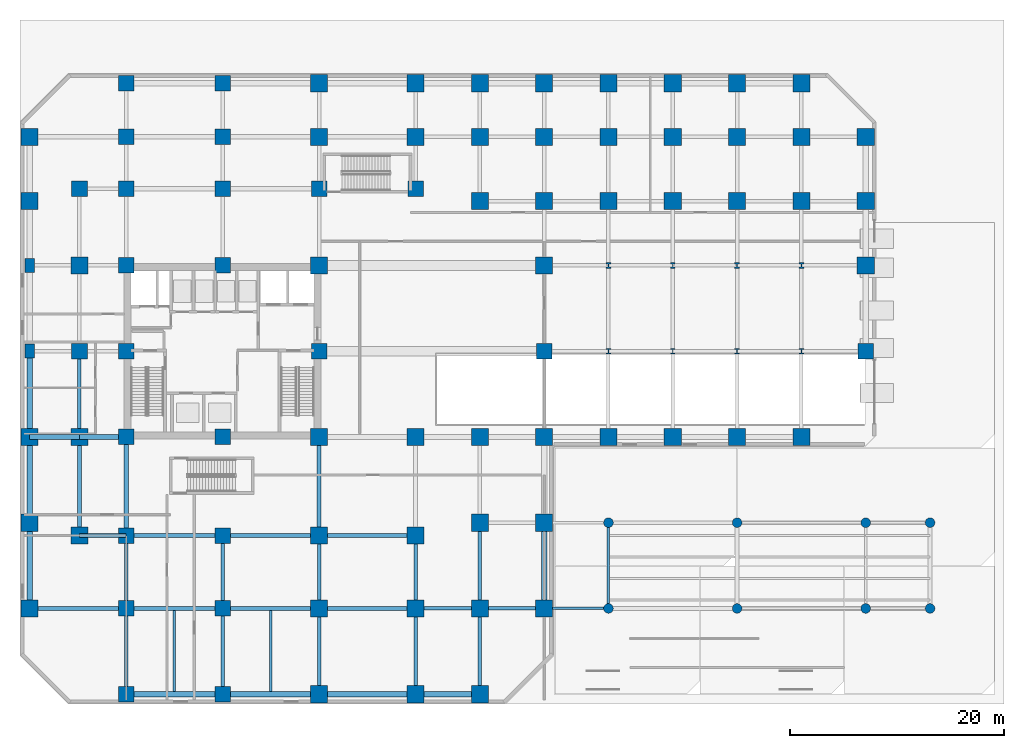
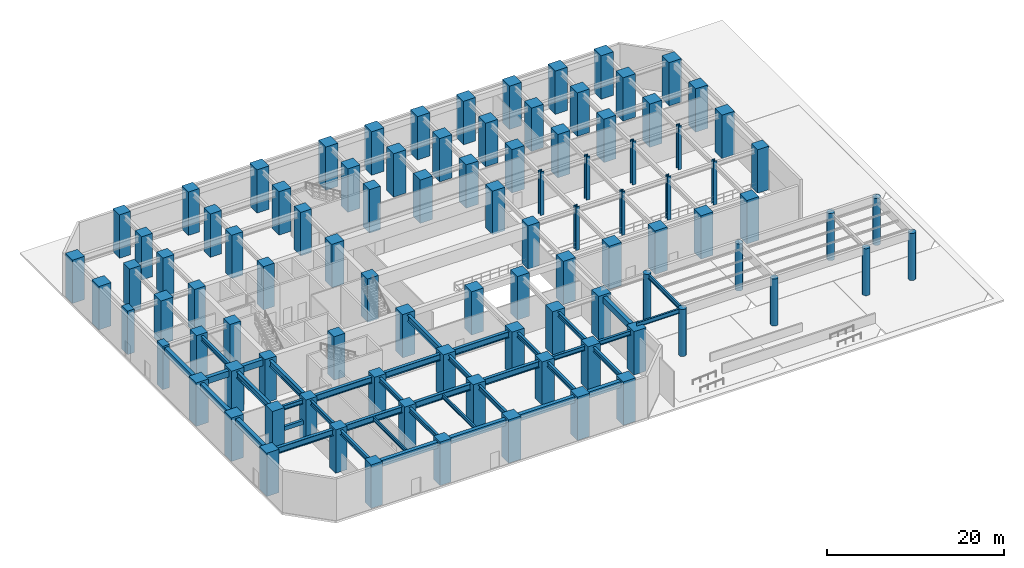
# One storey, part 1 of 13: 96 columns, 39 beams.
"""IFC4 building model written with IfcOpenShell, lengths in metres."""

from ifc_helpers import new_model, si_unit, direction, frame, origin, origin_2d, place, context, subcontext, project, spatial, rectangle, circle, i_section, extrude, source, transform, mapped, material, material_profile, profile_set, type_object, element, save


model = new_model("IFC4")

# Units and contexts
model_context = context("Model", 3, precision=1e-05, world=origin(), true_north=direction((0.0, 1.0)))
body_context = subcontext(model_context, "Body", "Model", "MODEL_VIEW")
ifc_project = project(units=[si_unit("LENGTHUNIT", "METRE"), si_unit("AREAUNIT", "SQUARE_METRE"), si_unit("VOLUMEUNIT", "CUBIC_METRE"), si_unit("PLANEANGLEUNIT", "RADIAN"), si_unit("MASSUNIT", "GRAM", prefix="KILO")], contexts=[model_context])

# Site, building, storey
site_placement = place(None, origin())
site = spatial("IfcSite", under=ifc_project, at=site_placement, CompositionType="ELEMENT")
building_placement = place(site_placement, origin())
building = spatial("IfcBuilding", under=site, at=building_placement, Name="Torre Montelarca", CompositionType="ELEMENT")
storey_placement = place(building_placement, origin())
storey = spatial("IfcBuildingStorey", under=building, at=storey_placement, Name="L01", CompositionType="ELEMENT", Elevation=0.0)

# Columns
ifc_material_1 = material(Name="Concrete C70/85", Category="concrete")
ifc_material_profile_1 = material_profile(ifc_material_1, rectangle(XDim=1.60009765625, YDim=1.60009765625, at=origin_2d()), Name="RC1600X1600", Category="concrete")
ifc_profile_set_1 = profile_set([ifc_material_profile_1], Name="Concrete C70/85")
column_type_1 = type_object("IfcColumnType", Name="COL-RC1600-EXT", PredefinedType="COLUMN", material=ifc_profile_set_1)
shared_shape_1 = source(origin(), body_context, "Body", "SweptSolid", [
    extrude(rectangle(XDim=1.60009765625, YDim=1.60009765625, at=origin_2d()), origin(), (0.0, 0.0, 1.0), 5.99853515625),
])
for number, where, z_axis, x_axis, name in (
    (1, (0.0, 8.0, 0.000732421875), (0.0, 0.0, 1.0), (1.0, 0.0, 0.0), "L01 Perimeter Mega Column 1/B"),
    (2, (0.0, 16.0, 0.000732421875), (0.0, 0.0, 1.0), (1.0, 0.0, 0.0), "L01 Perimeter Mega Column 1/C"),
    (3, (0.0, 24.0, 0.000732421875), (0.0, 0.0, 1.0), (1.0, 0.0, 0.0), "L01 Perimeter Mega Column 1/D"),
    (4, (0.0, 46.0, 0.000732421875), (0.0, 0.0, 1.0), (1.0, 0.0, 0.0), "L01 Perimeter Mega Column 1/G"),
    (5, (0.0, 52.0, 0.000732421875), (0.0, 0.0, 1.0), (1.0, 0.0, 0.0), "L01 Perimeter Mega Column 1/H"),
    (6, (27.0, 0.0, 0.000732421875), (0.0, 0.0, 1.0), (1.0, 0.0, 0.0), "L01 Perimeter Mega Column 4/A"),
    (7, (27.0, 24.0, 0.000732421875), (0.0, 0.0, 1.0), (1.0, 0.0, 0.0), "L01 Perimeter Mega Column 4/D"),
    (8, (27.0, 57.0, 0.000732421875), (0.0, 0.0, 1.0), (1.0, 0.0, 0.0), "L01 Perimeter Mega Column 4/J"),
    (9, (36.0, 0.0, 0.000732421875), (0.0, 0.0, 1.0), (1.0, 0.0, 0.0), "L01 Perimeter Mega Column 5/A"),
    (10, (36.0, 24.0, 0.000732421875), (0.0, 0.0, 1.0), (1.0, 0.0, 0.0), "L01 Perimeter Mega Column 5/D"),
    (11, (36.0, 57.0, 0.000732421875), (0.0, 0.0, 1.0), (1.0, 0.0, 0.0), "L01 Perimeter Mega Column 5/J"),
    (12, (42.0, 0.0, 0.000732421875), (0.0, 0.0, 1.0), (1.0, 0.0, 0.0), "L01 Perimeter Mega Column 6/A"),
    (13, (42.0, 24.0, 0.000732421875), (0.0, 0.0, 1.0), (1.0, 0.0, 0.0), "L01 Perimeter Mega Column 6/D"),
    (14, (42.0, 57.0, 0.000732421875), (0.0, 0.0, 1.0), (1.0, 0.0, 0.0), "L01 Perimeter Mega Column 6/J"),
    (15, (48.0, 8.0, 0.000732421875), (0.0, 0.0, 1.0), (1.0, 0.0, 0.0), "L01 Perimeter Mega Column 7/B"),
    (16, (48.0, 16.0, 0.000732421875), (0.0, 0.0, 1.0), (1.0, 0.0, 0.0), "L01 Perimeter Mega Column 7/C"),
    (17, (48.0, 24.0, 0.000732421875), (0.0, 0.0, 1.0), (1.0, 0.0, 0.0), "L01 Perimeter Mega Column 7/D"),
    (18, (48.0, 57.0, 0.000732421875), (0.0, 0.0, 1.0), (1.0, 0.0, 0.0), "L01 Perimeter Mega Column 7/J"),
    (19, (54.0, 24.0, 0.000732421875), (0.0, 0.0, 1.0), (1.0, 0.0, 0.0), "L01 Perimeter Mega Column 8/D"),
    (20, (54.0, 57.0, 0.000732421875), (0.0, 0.0, 1.0), (1.0, 0.0, 0.0), "L01 Perimeter Mega Column 8/J"),
    (21, (60.0, 24.0, 0.000732421875), (0.0, 0.0, 1.0), (1.0, 0.0, 0.0), "L01 Perimeter Mega Column 9/D"),
    (22, (60.0, 57.0, 0.000732421875), (0.0, 0.0, 1.0), (1.0, 0.0, 0.0), "L01 Perimeter Mega Column 9/J"),
    (23, (66.0, 24.0, 0.000732421875), (0.0, 0.0, 1.0), (1.0, 0.0, 0.0), "L01 Perimeter Mega Column 10/D"),
    (24, (66.0, 57.0, 0.000732421875), (0.0, 0.0, 1.0), (1.0, 0.0, 0.0), "L01 Perimeter Mega Column 10/J"),
    (25, (72.0, 24.0, 0.000732421875), (0.0, 0.0, 1.0), (1.0, 0.0, 0.0), "L01 Perimeter Mega Column 11/D"),
    (26, (72.0, 57.0, 0.000732421875), (0.0, 0.0, 1.0), (1.0, 0.0, 0.0), "L01 Perimeter Mega Column 11/J"),
    (27, (78.0, 40.0, 0.000732421875), (0.0, 0.0, 1.0), (1.0, 0.0, 0.0), "L01 Perimeter Mega Column 12/F"),
    (28, (78.0, 46.0, 0.000732421875), (0.0, 0.0, 1.0), (1.0, 0.0, 0.0), "L01 Perimeter Mega Column 12/G"),
    (29, (78.0, 52.0, 0.000732421875), (0.0, 0.0, 1.0), (1.0, 0.0, 0.0), "L01 Perimeter Mega Column 12/H"),
    (30, (4.64990234375, 24.0, 0.000732421875), (0.0, 0.0, 1.0), (1.0, 0.0, 0.0), "L01 Perimeter Mega Column 1W/D"),
):
    element("IfcColumn", number, at=place(storey_placement, frame(where, z_axis=z_axis, x_axis=x_axis)), inside=storey, type_object=column_type_1, Name=name, PredefinedType="COLUMN", context=body_context, shape_type="MappedRepresentation", body=[
        mapped(shared_shape_1, transform((0.0, 0.0, 0.0), scale=1.0)),
    ])
ifc_material_2 = material(Name="Concrete C55/67", Category="concrete")
ifc_material_profile_2 = material_profile(ifc_material_2, rectangle(XDim=0.89990234375, YDim=1.300048828125, at=origin_2d()), Name="RC1300X900", Category="concrete")
ifc_profile_set_2 = profile_set([ifc_material_profile_2], Name="Concrete C55/67")
column_type_2 = type_object("IfcColumnType", Name="COL-PIL1300-EXT", PredefinedType="PILASTER", material=ifc_profile_set_2)
shared_shape_2 = source(origin(), body_context, "Body", "SweptSolid", [
    extrude(rectangle(XDim=0.89990234375, YDim=1.300048828125, at=origin_2d()), origin(), (0.0, 0.0, 1.0), 5.99853515625),
])
for number, where, z_axis, x_axis, name in (
    (31, (0.0, 32.0, 0.000732421875), (0.0, 0.0, 1.0), (1.0, 0.0, 0.0), "L01 Column 1/E"),
    (32, (0.0, 40.0, 0.000732421875), (0.0, 0.0, 1.0), (1.0, 0.0, 0.0), "L01 Column 1/F"),
):
    element("IfcColumn", number, at=place(storey_placement, frame(where, z_axis=z_axis, x_axis=x_axis)), inside=storey, type_object=column_type_2, Name=name, PredefinedType="PILASTER", context=body_context, shape_type="MappedRepresentation", body=[
        mapped(shared_shape_2, transform((0.0, 0.0, 0.0), scale=1.0)),
    ])
ifc_material_profile_3 = material_profile(ifc_material_1, rectangle(XDim=1.449951171875, YDim=1.449951171875, at=origin_2d()), Name="RC1450X1450", Category="concrete")
ifc_profile_set_3 = profile_set([ifc_material_profile_3], Name="Concrete C70/85")
column_type_3 = type_object("IfcColumnType", Name="COL-RC1450-EXT", PredefinedType="COLUMN", material=ifc_profile_set_3)
shared_shape_3 = source(origin(), body_context, "Body", "SweptSolid", [
    extrude(rectangle(XDim=1.449951171875, YDim=1.449951171875, at=origin_2d()), origin(), (0.0, 0.0, 1.0), 5.99853515625),
])
for number, where, z_axis, x_axis, name in (
    (33, (9.0, 0.0, 0.000732421875), (0.0, 0.0, 1.0), (1.0, 0.0, 0.0), "L01 Perimeter Mega Column 2/A"),
    (34, (9.0, 24.0, 0.000732421875), (0.0, 0.0, 1.0), (1.0, 0.0, 0.0), "L01 Perimeter Mega Column 2/D"),
    (35, (9.0, 57.0, 0.000732421875), (0.0, 0.0, 1.0), (1.0, 0.0, 0.0), "L01 Perimeter Mega Column 2/J"),
    (36, (18.0, 0.0, 0.000732421875), (0.0, 0.0, 1.0), (1.0, 0.0, 0.0), "L01 Perimeter Mega Column 3/A"),
    (37, (18.0, 24.0, 0.000732421875), (0.0, 0.0, 1.0), (1.0, 0.0, 0.0), "L01 Perimeter Mega Column 3/D"),
    (38, (18.0, 57.0, 0.000732421875), (0.0, 0.0, 1.0), (1.0, 0.0, 0.0), "L01 Perimeter Mega Column 3/J"),
    (39, (78.0, 32.0, 0.000732421875), (0.0, 0.0, 1.0), (1.0, 0.0, 0.0), "L01 Perimeter Mega Column 12/E"),
):
    element("IfcColumn", number, at=place(storey_placement, frame(where, z_axis=z_axis, x_axis=x_axis)), inside=storey, type_object=column_type_3, Name=name, PredefinedType="COLUMN", context=body_context, shape_type="MappedRepresentation", body=[
        mapped(shared_shape_3, transform((0.0, 0.0, 0.0), scale=1.0)),
    ])
ifc_material_profile_4 = material_profile(ifc_material_1, rectangle(XDim=1.449951171875, YDim=1.449951171875, at=origin_2d()), Name="RC1450X1450", Category="concrete")
ifc_profile_set_4 = profile_set([ifc_material_profile_4], Name="Concrete C70/85")
column_type_4 = type_object("IfcColumnType", Name="COL-RC1450", PredefinedType="COLUMN", material=ifc_profile_set_4)
shared_shape_4 = source(origin(), body_context, "Body", "SweptSolid", [
    extrude(rectangle(XDim=1.449951171875, YDim=1.449951171875, at=origin_2d()), origin(), (0.0, 0.0, 1.0), 5.99853515625),
])
for number, where, z_axis, x_axis, name in (
    (40, (9.0, 8.0, 0.000732421875), (0.0, 0.0, 1.0), (1.0, 0.0, 0.0), "L01 Column 2/B"),
    (41, (9.0, 32.0, 0.000732421875), (0.0, 0.0, 1.0), (1.0, 0.0, 0.0), "L01 Column 2/E"),
    (42, (9.0, 40.0, 0.000732421875), (0.0, 0.0, 1.0), (1.0, 0.0, 0.0), "L01 Column 2/F"),
    (43, (9.0, 52.0, 0.000732421875), (0.0, 0.0, 1.0), (1.0, 0.0, 0.0), "L01 Column 2/H"),
    (44, (9.0, 14.800048828125, 0.000732421875), (0.0, 0.0, 1.0), (1.0, 0.0, 0.0), "L01 Column 2/CS"),
    (45, (9.0, 47.14990234375, 0.000732421875), (0.0, 0.0, 1.0), (1.0, 0.0, 0.0), "L01 Column 2/GN"),
    (46, (18.0, 8.0, 0.000732421875), (0.0, 0.0, 1.0), (1.0, 0.0, 0.0), "L01 Column 3/B"),
    (47, (18.0, 40.0, 0.000732421875), (0.0, 0.0, 1.0), (1.0, 0.0, 0.0), "L01 Column 3/F"),
    (48, (18.0, 52.0, 0.000732421875), (0.0, 0.0, 1.0), (1.0, 0.0, 0.0), "L01 Column 3/H"),
    (49, (18.0, 14.800048828125, 0.000732421875), (0.0, 0.0, 1.0), (1.0, 0.0, 0.0), "L01 Column 3/CS"),
    (50, (18.0, 47.14990234375, 0.000732421875), (0.0, 0.0, 1.0), (1.0, 0.0, 0.0), "L01 Column 3/GN"),
    (51, (27.0, 32.0, 0.000732421875), (0.0, 0.0, 1.0), (1.0, 0.0, 0.0), "L01 Column 4/E"),
    (52, (27.0, 47.14990234375, 0.000732421875), (0.0, 0.0, 1.0), (1.0, 0.0, 0.0), "L01 Column 4/GN"),
    (53, (36.0, 47.14990234375, 0.000732421875), (0.0, 0.0, 1.0), (1.0, 0.0, 0.0), "L01 Column 5/GN"),
    (54, (48.0, 32.0, 0.000732421875), (0.0, 0.0, 1.0), (1.0, 0.0, 0.0), "L01 Column 7/E"),
    (55, (4.64990234375, 32.0, 0.000732421875), (0.0, 0.0, 1.0), (1.0, 0.0, 0.0), "L01 Column 1W/E"),
    (56, (4.64990234375, 47.14990234375, 0.000732421875), (0.0, 0.0, 1.0), (1.0, 0.0, 0.0), "L01 Column 1W/GN"),
):
    element("IfcColumn", number, at=place(storey_placement, frame(where, z_axis=z_axis, x_axis=x_axis)), inside=storey, type_object=column_type_4, Name=name, PredefinedType="COLUMN", context=body_context, shape_type="MappedRepresentation", body=[
        mapped(shared_shape_4, transform((0.0, 0.0, 0.0), scale=1.0)),
    ])
ifc_material_profile_5 = material_profile(ifc_material_1, rectangle(XDim=1.60009765625, YDim=1.60009765625, at=origin_2d()), Name="RC1600X1600", Category="concrete")
ifc_profile_set_5 = profile_set([ifc_material_profile_5], Name="Concrete C70/85")
column_type_5 = type_object("IfcColumnType", Name="COL-RC1600", PredefinedType="COLUMN", material=ifc_profile_set_5)
shared_shape_5 = source(origin(), body_context, "Body", "SweptSolid", [
    extrude(rectangle(XDim=1.60009765625, YDim=1.60009765625, at=origin_2d()), origin(), (0.0, 0.0, 1.0), 5.99853515625),
])
for number, where, z_axis, x_axis, name in (
    (57, (27.0, 8.0, 0.000732421875), (0.0, 0.0, 1.0), (1.0, 0.0, 0.0), "L01 Column 4/B"),
    (58, (27.0, 40.0, 0.000732421875), (0.0, 0.0, 1.0), (1.0, 0.0, 0.0), "L01 Column 4/F"),
    (59, (27.0, 52.0, 0.000732421875), (0.0, 0.0, 1.0), (1.0, 0.0, 0.0), "L01 Column 4/H"),
    (60, (27.0, 14.800048828125, 0.000732421875), (0.0, 0.0, 1.0), (1.0, 0.0, 0.0), "L01 Column 4/CS"),
    (61, (36.0, 8.0, 0.000732421875), (0.0, 0.0, 1.0), (1.0, 0.0, 0.0), "L01 Column 5/B"),
    (62, (36.0, 52.0, 0.000732421875), (0.0, 0.0, 1.0), (1.0, 0.0, 0.0), "L01 Column 5/H"),
    (63, (36.0, 14.800048828125, 0.000732421875), (0.0, 0.0, 1.0), (1.0, 0.0, 0.0), "L01 Column 5/CS"),
    (64, (42.0, 8.0, 0.000732421875), (0.0, 0.0, 1.0), (1.0, 0.0, 0.0), "L01 Column 6/B"),
    (65, (42.0, 16.0, 0.000732421875), (0.0, 0.0, 1.0), (1.0, 0.0, 0.0), "L01 Column 6/C"),
    (66, (42.0, 46.0, 0.000732421875), (0.0, 0.0, 1.0), (1.0, 0.0, 0.0), "L01 Column 6/G"),
    (67, (42.0, 52.0, 0.000732421875), (0.0, 0.0, 1.0), (1.0, 0.0, 0.0), "L01 Column 6/H"),
    (68, (48.0, 40.0, 0.000732421875), (0.0, 0.0, 1.0), (1.0, 0.0, 0.0), "L01 Column 7/F"),
    (69, (48.0, 46.0, 0.000732421875), (0.0, 0.0, 1.0), (1.0, 0.0, 0.0), "L01 Column 7/G"),
    (70, (48.0, 52.0, 0.000732421875), (0.0, 0.0, 1.0), (1.0, 0.0, 0.0), "L01 Column 7/H"),
    (71, (54.0, 46.0, 0.000732421875), (0.0, 0.0, 1.0), (1.0, 0.0, 0.0), "L01 Column 8/G"),
    (72, (54.0, 52.0, 0.000732421875), (0.0, 0.0, 1.0), (1.0, 0.0, 0.0), "L01 Column 8/H"),
    (73, (60.0, 46.0, 0.000732421875), (0.0, 0.0, 1.0), (1.0, 0.0, 0.0), "L01 Column 9/G"),
    (74, (60.0, 52.0, 0.000732421875), (0.0, 0.0, 1.0), (1.0, 0.0, 0.0), "L01 Column 9/H"),
    (75, (66.0, 46.0, 0.000732421875), (0.0, 0.0, 1.0), (1.0, 0.0, 0.0), "L01 Column 10/G"),
    (76, (66.0, 52.0, 0.000732421875), (0.0, 0.0, 1.0), (1.0, 0.0, 0.0), "L01 Column 10/H"),
    (77, (72.0, 46.0, 0.000732421875), (0.0, 0.0, 1.0), (1.0, 0.0, 0.0), "L01 Column 11/G"),
    (78, (72.0, 52.0, 0.000732421875), (0.0, 0.0, 1.0), (1.0, 0.0, 0.0), "L01 Column 11/H"),
    (79, (4.64990234375, 40.0, 0.000732421875), (0.0, 0.0, 1.0), (1.0, 0.0, 0.0), "L01 Column 1W/F"),
    (80, (4.64990234375, 14.800048828125, 0.000732421875), (0.0, 0.0, 1.0), (1.0, 0.0, 0.0), "L01 Column 1W/CS"),
):
    element("IfcColumn", number, at=place(storey_placement, frame(where, z_axis=z_axis, x_axis=x_axis)), inside=storey, type_object=column_type_5, Name=name, PredefinedType="COLUMN", context=body_context, shape_type="MappedRepresentation", body=[
        mapped(shared_shape_5, transform((0.0, 0.0, 0.0), scale=1.0)),
    ])
ifc_material_3 = material(Name="Steel ASTM A992 Grade 50", Category="steel")
ifc_material_profile_6 = material_profile(ifc_material_3, i_section(OverallWidth=0.44189453125, OverallDepth=0.531005859375, WebThickness=0.06591796875, FlangeThickness=0.10595703125, FilletRadius=0.014892578125, at=origin_2d()), Name="W360X900", Category="steel")
ifc_profile_set_6 = profile_set([ifc_material_profile_6], Name="Steel ASTM A992 Grade 50")
column_type_6 = type_object("IfcColumnType", Name="COL-W360X900", PredefinedType="COLUMN", material=ifc_profile_set_6)
shared_shape_6 = source(origin(), body_context, "Body", "SweptSolid", [
    extrude(i_section(OverallWidth=0.44189453125, OverallDepth=0.531005859375, WebThickness=0.06591796875, FlangeThickness=0.10595703125, FilletRadius=0.014892578125, at=origin_2d()), origin(), (0.0, 0.0, 1.0), 5.99853515625),
])
for number, where, z_axis, x_axis, name in (
    (81, (54.0, 32.0, 0.000732421875), (0.0, 0.0, 1.0), (1.0, 0.0, 0.0), "L01 Column 8/E"),
    (82, (54.0, 40.0, 0.000732421875), (0.0, 0.0, 1.0), (1.0, 0.0, 0.0), "L01 Column 8/F"),
    (83, (60.0, 32.0, 0.000732421875), (0.0, 0.0, 1.0), (1.0, 0.0, 0.0), "L01 Column 9/E"),
    (84, (60.0, 40.0, 0.000732421875), (0.0, 0.0, 1.0), (1.0, 0.0, 0.0), "L01 Column 9/F"),
    (85, (66.0, 32.0, 0.000732421875), (0.0, 0.0, 1.0), (1.0, 0.0, 0.0), "L01 Column 10/E"),
    (86, (66.0, 40.0, 0.000732421875), (0.0, 0.0, 1.0), (1.0, 0.0, 0.0), "L01 Column 10/F"),
    (87, (72.0, 32.0, 0.000732421875), (0.0, 0.0, 1.0), (1.0, 0.0, 0.0), "L01 Column 11/E"),
    (88, (72.0, 40.0, 0.000732421875), (0.0, 0.0, 1.0), (1.0, 0.0, 0.0), "L01 Column 11/F"),
):
    element("IfcColumn", number, at=place(storey_placement, frame(where, z_axis=z_axis, x_axis=x_axis)), inside=storey, type_object=column_type_6, Name=name, PredefinedType="COLUMN", context=body_context, shape_type="MappedRepresentation", body=[
        mapped(shared_shape_6, transform((0.0, 0.0, 0.0), scale=1.0)),
    ])
ifc_material_profile_7 = material_profile(ifc_material_2, circle(Radius=0.449951171875, at=origin_2d()), Name="RCC900", Category="concrete")
ifc_profile_set_7 = profile_set([ifc_material_profile_7], Name="Concrete C55/67")
column_type_7 = type_object("IfcColumnType", Name="COL-PIER900-EXT", PredefinedType="USERDEFINED", material=ifc_profile_set_7)
shared_shape_7 = source(origin(), body_context, "Body", "SweptSolid", [
    extrude(circle(Radius=0.449951171875, at=origin_2d()), origin(), (0.0, 0.0, 1.0), 6.499267578125),
])
for number, where, z_axis, x_axis, name in (
    (89, (54.0, 8.0, 0.000732421875), (0.0, 0.0, 1.0), (1.0, 0.0, 0.0), "L01 Plaza Colonnade Pier P01"),
    (90, (66.0, 8.0, 0.000732421875), (0.0, 0.0, 1.0), (1.0, 0.0, 0.0), "L01 Plaza Colonnade Pier P02"),
    (91, (78.0, 8.0, 0.000732421875), (0.0, 0.0, 1.0), (1.0, 0.0, 0.0), "L01 Plaza Colonnade Pier P03"),
    (92, (84.0, 8.0, 0.000732421875), (0.0, 0.0, 1.0), (1.0, 0.0, 0.0), "L01 Plaza Colonnade Pier P04"),
    (93, (54.0, 16.0, 0.000732421875), (0.0, 0.0, 1.0), (1.0, 0.0, 0.0), "L01 Plaza Colonnade Pier P05"),
    (94, (66.0, 16.0, 0.000732421875), (0.0, 0.0, 1.0), (1.0, 0.0, 0.0), "L01 Plaza Colonnade Pier P06"),
    (95, (78.0, 16.0, 0.000732421875), (0.0, 0.0, 1.0), (1.0, 0.0, 0.0), "L01 Plaza Colonnade Pier P07"),
    (96, (84.0, 16.0, 0.000732421875), (0.0, 0.0, 1.0), (1.0, 0.0, 0.0), "L01 Plaza Colonnade Pier P08"),
):
    element("IfcColumn", number, at=place(storey_placement, frame(where, z_axis=z_axis, x_axis=x_axis)), inside=storey, type_object=column_type_7, Name=name, ObjectType="PIER", PredefinedType="USERDEFINED", context=body_context, shape_type="MappedRepresentation", body=[
        mapped(shared_shape_7, transform((0.0, 0.0, 0.0), scale=1.0)),
    ])

# Beams
ifc_material_profile_8 = material_profile(ifc_material_3, i_section(OverallWidth=0.22998046875, OverallDepth=0.616943359375, WebThickness=0.01318359375, FlangeThickness=0.022216796875, FilletRadius=0.014892578125, at=origin_2d()), Name="W610X140", Category="steel")
ifc_profile_set_8 = profile_set([ifc_material_profile_8], Name="Steel ASTM A992 Grade 50")
beam_type_1 = type_object("IfcBeamType", Name="BM-G-W610-EXT", PredefinedType="BEAM", material=ifc_profile_set_8)
shared_shape_8 = source(origin(), body_context, "Body", "SweptSolid", [
    extrude(i_section(OverallWidth=0.22998046875, OverallDepth=0.616943359375, WebThickness=0.01318359375, FlangeThickness=0.022216796875, FilletRadius=0.014892578125, at=origin_2d()), origin(), (0.0, 0.0, 1.0), 6.0),
])
beam_1_placement = place(storey_placement, frame((48.0, 8.0, 6.19091796875), z_axis=(1.0, 0.0, 0.0), x_axis=(0.0, 1.0, 0.0)))
element("IfcBeam", 97, at=beam_1_placement, inside=storey, type_object=beam_type_1, Name="L01 Grid Girder X 48.0-54.0 at Y=8.0", PredefinedType="BEAM", context=body_context, shape_type="MappedRepresentation", body=[
    mapped(shared_shape_8, transform((0.0, 0.0, 0.0), scale=1.0)),
])
shared_shape_9 = source(origin(), body_context, "Body", "SweptSolid", [
    extrude(i_section(OverallWidth=0.22998046875, OverallDepth=0.616943359375, WebThickness=0.01318359375, FlangeThickness=0.022216796875, FilletRadius=0.014892578125, at=origin_2d()), origin(), (0.0, 0.0, 1.0), 8.0),
])
beam_2_placement = place(storey_placement, frame((54.0, 8.0, 6.19091796875), z_axis=(0.0, 1.0, 0.0), x_axis=(-1.0, 0.0, 0.0)))
element("IfcBeam", 98, at=beam_2_placement, inside=storey, type_object=beam_type_1, Name="L01 Grid Girder Y 8.0-16.0 at X=54.0", PredefinedType="BEAM", context=body_context, shape_type="MappedRepresentation", body=[
    mapped(shared_shape_9, transform((0.0, 0.0, 0.0), scale=1.0)),
])
ifc_material_profile_9 = material_profile(ifc_material_2, rectangle(XDim=0.5, YDim=0.85009765625, at=origin_2d()), Name="RCB500X850", Category="concrete")
ifc_profile_set_9 = profile_set([ifc_material_profile_9], Name="Concrete C55/67")
beam_type_2 = type_object("IfcBeamType", Name="BM-SP-RC850-EXT", PredefinedType="SPANDREL", material=ifc_profile_set_9)
shared_shape_10 = source(origin(), body_context, "Body", "SweptSolid", [
    extrude(rectangle(XDim=0.5, YDim=0.85009765625, at=origin_2d()), origin(), (0.0, 0.0, 1.0), 9.0),
])
for number, where, z_axis, x_axis, name in (
    (99, (9.0, 0.0, 5.31494140625), (1.0, 0.0, 0.0), (0.0, 1.0, 0.0), "L01 Grid Girder X 9.0-18.0 at Y=0.0"),
    (100, (18.0, 0.0, 5.31494140625), (1.0, 0.0, 0.0), (0.0, 1.0, 0.0), "L01 Grid Girder X 18.0-27.0 at Y=0.0"),
    (101, (27.0, 0.0, 5.31494140625), (1.0, 0.0, 0.0), (0.0, 1.0, 0.0), "L01 Grid Girder X 27.0-36.0 at Y=0.0"),
):
    element("IfcBeam", number, at=place(storey_placement, frame(where, z_axis=z_axis, x_axis=x_axis)), inside=storey, type_object=beam_type_2, Name=name, PredefinedType="SPANDREL", context=body_context, shape_type="MappedRepresentation", body=[
        mapped(shared_shape_10, transform((0.0, 0.0, 0.0), scale=1.0)),
    ])
shared_shape_11 = source(origin(), body_context, "Body", "SweptSolid", [
    extrude(rectangle(XDim=0.5, YDim=0.85009765625, at=origin_2d()), origin(), (0.0, 0.0, 1.0), 6.0),
])
beam_3_placement = place(storey_placement, frame((36.0, 0.0, 5.31494140625), z_axis=(1.0, 0.0, 0.0), x_axis=(0.0, 1.0, 0.0)))
element("IfcBeam", 102, at=beam_3_placement, inside=storey, type_object=beam_type_2, Name="L01 Grid Girder X 36.0-42.0 at Y=0.0", PredefinedType="SPANDREL", context=body_context, shape_type="MappedRepresentation", body=[
    mapped(shared_shape_11, transform((0.0, 0.0, 0.0), scale=1.0)),
])
ifc_material_profile_10 = material_profile(ifc_material_3, i_section(OverallWidth=0.39990234375, OverallDepth=0.85498046875, WebThickness=0.018310546875, FlangeThickness=0.029296875, FilletRadius=0.02001953125, at=origin_2d()), Name="W840X299", Category="steel")
ifc_profile_set_10 = profile_set([ifc_material_profile_10], Name="Steel ASTM A992 Grade 50")
beam_type_3 = type_object("IfcBeamType", Name="BM-G-W840", PredefinedType="BEAM", material=ifc_profile_set_10)
shared_shape_12 = source(origin(), body_context, "Body", "SweptSolid", [
    extrude(i_section(OverallWidth=0.39990234375, OverallDepth=0.85498046875, WebThickness=0.018310546875, FlangeThickness=0.029296875, FilletRadius=0.02001953125, at=origin_2d()), origin(), (0.0, 0.0, 1.0), 9.0),
])
for number, where, z_axis, x_axis, name in (
    (103, (0.0, 8.0, 5.31201171875), (1.0, 0.0, 0.0), (0.0, 1.0, 0.0), "L01 Grid Girder X 0.0-9.0 at Y=8.0"),
    (104, (9.0, 8.0, 5.31201171875), (1.0, 0.0, 0.0), (0.0, 1.0, 0.0), "L01 Grid Girder X 9.0-18.0 at Y=8.0"),
    (105, (18.0, 8.0, 5.31201171875), (1.0, 0.0, 0.0), (0.0, 1.0, 0.0), "L01 Grid Girder X 18.0-27.0 at Y=8.0"),
    (106, (27.0, 8.0, 5.31201171875), (1.0, 0.0, 0.0), (0.0, 1.0, 0.0), "L01 Grid Girder X 27.0-36.0 at Y=8.0"),
    (107, (9.0, 14.800048828125, 5.31201171875), (1.0, 0.0, 0.0), (0.0, 1.0, 0.0), "L01 Grid Girder X 9.0-18.0 at Y=14.8"),
    (108, (18.0, 14.800048828125, 5.31201171875), (1.0, 0.0, 0.0), (0.0, 1.0, 0.0), "L01 Grid Girder X 18.0-27.0 at Y=14.8"),
    (109, (27.0, 14.800048828125, 5.31201171875), (1.0, 0.0, 0.0), (0.0, 1.0, 0.0), "L01 Grid Girder X 27.0-36.0 at Y=14.8"),
):
    element("IfcBeam", number, at=place(storey_placement, frame(where, z_axis=z_axis, x_axis=x_axis)), inside=storey, type_object=beam_type_3, Name=name, PredefinedType="BEAM", context=body_context, shape_type="MappedRepresentation", body=[
        mapped(shared_shape_12, transform((0.0, 0.0, 0.0), scale=1.0)),
    ])
ifc_material_profile_11 = material_profile(ifc_material_3, i_section(OverallWidth=0.326904296875, OverallDepth=0.6220703125, WebThickness=0.015380859375, FlangeThickness=0.0244140625, FilletRadius=0.014892578125, at=origin_2d()), Name="W610X195", Category="steel")
ifc_profile_set_11 = profile_set([ifc_material_profile_11], Name="Steel ASTM A992 Grade 50")
beam_type_4 = type_object("IfcBeamType", Name="BM-G-W610H", PredefinedType="BEAM", material=ifc_profile_set_11)
shared_shape_13 = source(origin(), body_context, "Body", "SweptSolid", [
    extrude(i_section(OverallWidth=0.326904296875, OverallDepth=0.6220703125, WebThickness=0.015380859375, FlangeThickness=0.0244140625, FilletRadius=0.014892578125, at=origin_2d()), origin(), (0.0, 0.0, 1.0), 6.0),
])
for number, where, z_axis, x_axis, name in (
    (110, (36.0, 8.0, 5.428955078125), (1.0, 0.0, 0.0), (0.0, 1.0, 0.0), "L01 Grid Girder X 36.0-42.0 at Y=8.0"),
    (111, (42.0, 8.0, 5.428955078125), (1.0, 0.0, 0.0), (0.0, 1.0, 0.0), "L01 Grid Girder X 42.0-48.0 at Y=8.0"),
):
    element("IfcBeam", number, at=place(storey_placement, frame(where, z_axis=z_axis, x_axis=x_axis)), inside=storey, type_object=beam_type_4, Name=name, PredefinedType="BEAM", context=body_context, shape_type="MappedRepresentation", body=[
        mapped(shared_shape_13, transform((0.0, 0.0, 0.0), scale=1.0)),
    ])
shared_shape_14 = source(origin(), body_context, "Body", "SweptSolid", [
    extrude(i_section(OverallWidth=0.326904296875, OverallDepth=0.6220703125, WebThickness=0.015380859375, FlangeThickness=0.0244140625, FilletRadius=0.014892578125, at=origin_2d()), origin(), (0.0, 0.0, 1.0), 4.35009765625),
])
beam_4_placement = place(storey_placement, frame((4.64990234375, 14.800048828125, 5.428955078125), z_axis=(1.0, 0.0, 0.0), x_axis=(0.0, 1.0, 0.0)))
element("IfcBeam", 112, at=beam_4_placement, inside=storey, type_object=beam_type_4, Name="L01 Grid Girder X 4.7-9.0 at Y=14.8", PredefinedType="BEAM", context=body_context, shape_type="MappedRepresentation", body=[
    mapped(shared_shape_14, transform((0.0, 0.0, 0.0), scale=1.0)),
])
shared_shape_15 = source(origin(), body_context, "Body", "SweptSolid", [
    extrude(rectangle(XDim=0.5, YDim=0.85009765625, at=origin_2d()), origin(), (0.0, 0.0, 1.0), 4.64990234375),
])
beam_5_placement = place(storey_placement, frame((0.0, 24.0, 5.31494140625), z_axis=(1.0, 0.0, 0.0), x_axis=(0.0, 1.0, 0.0)))
element("IfcBeam", 113, at=beam_5_placement, inside=storey, type_object=beam_type_2, Name="L01 Grid Girder X 0.0-4.7 at Y=24.0", PredefinedType="SPANDREL", context=body_context, shape_type="MappedRepresentation", body=[
    mapped(shared_shape_15, transform((0.0, 0.0, 0.0), scale=1.0)),
])
shared_shape_16 = source(origin(), body_context, "Body", "SweptSolid", [
    extrude(rectangle(XDim=0.5, YDim=0.85009765625, at=origin_2d()), origin(), (0.0, 0.0, 1.0), 4.35009765625),
])
beam_6_placement = place(storey_placement, frame((4.64990234375, 24.0, 5.31494140625), z_axis=(1.0, 0.0, 0.0), x_axis=(0.0, 1.0, 0.0)))
element("IfcBeam", 114, at=beam_6_placement, inside=storey, type_object=beam_type_2, Name="L01 Grid Girder X 4.7-9.0 at Y=24.0", PredefinedType="SPANDREL", context=body_context, shape_type="MappedRepresentation", body=[
    mapped(shared_shape_16, transform((0.0, 0.0, 0.0), scale=1.0)),
])
shared_shape_17 = source(origin(), body_context, "Body", "SweptSolid", [
    extrude(rectangle(XDim=0.5, YDim=0.85009765625, at=origin_2d()), origin(), (0.0, 0.0, 1.0), 8.0),
])
for number, where, z_axis, x_axis, name in (
    (115, (0.0, 8.0, 5.31494140625), (0.0, 1.0, 0.0), (-1.0, 0.0, 0.0), "L01 Grid Girder Y 8.0-16.0 at X=0.0"),
    (116, (0.0, 16.0, 5.31494140625), (0.0, 1.0, 0.0), (-1.0, 0.0, 0.0), "L01 Grid Girder Y 16.0-24.0 at X=0.0"),
    (117, (0.0, 24.0, 5.31494140625), (0.0, 1.0, 0.0), (-1.0, 0.0, 0.0), "L01 Grid Girder Y 24.0-32.0 at X=0.0"),
    (118, (48.0, 8.0, 5.31494140625), (0.0, 1.0, 0.0), (-1.0, 0.0, 0.0), "L01 Grid Girder Y 8.0-16.0 at X=48.0"),
):
    element("IfcBeam", number, at=place(storey_placement, frame(where, z_axis=z_axis, x_axis=x_axis)), inside=storey, type_object=beam_type_2, Name=name, PredefinedType="SPANDREL", context=body_context, shape_type="MappedRepresentation", body=[
        mapped(shared_shape_17, transform((0.0, 0.0, 0.0), scale=1.0)),
    ])
shared_shape_18 = source(origin(), body_context, "Body", "SweptSolid", [
    extrude(i_section(OverallWidth=0.39990234375, OverallDepth=0.85498046875, WebThickness=0.018310546875, FlangeThickness=0.029296875, FilletRadius=0.02001953125, at=origin_2d()), origin(), (0.0, 0.0, 1.0), 9.199951171875),
])
for number, where, z_axis, x_axis, name in (
    (119, (4.64990234375, 14.800048828125, 5.31201171875), (0.0, 1.0, 0.0), (-1.0, 0.0, 0.0), "L01 Grid Girder Y 14.8-24.0 at X=4.7"),
    (120, (9.0, 14.800048828125, 5.31201171875), (0.0, 1.0, 0.0), (-1.0, 0.0, 0.0), "L01 Grid Girder Y 14.8-24.0 at X=9.0"),
    (121, (27.0, 14.800048828125, 5.31201171875), (0.0, 1.0, 0.0), (-1.0, 0.0, 0.0), "L01 Grid Girder Y 14.8-24.0 at X=27.0"),
):
    element("IfcBeam", number, at=place(storey_placement, frame(where, z_axis=z_axis, x_axis=x_axis)), inside=storey, type_object=beam_type_3, Name=name, PredefinedType="BEAM", context=body_context, shape_type="MappedRepresentation", body=[
        mapped(shared_shape_18, transform((0.0, 0.0, 0.0), scale=1.0)),
    ])
shared_shape_19 = source(origin(), body_context, "Body", "SweptSolid", [
    extrude(i_section(OverallWidth=0.326904296875, OverallDepth=0.6220703125, WebThickness=0.015380859375, FlangeThickness=0.0244140625, FilletRadius=0.014892578125, at=origin_2d()), origin(), (0.0, 0.0, 1.0), 8.0),
])
for number, where, z_axis, x_axis, name in (
    (122, (4.64990234375, 24.0, 5.428955078125), (0.0, 1.0, 0.0), (-1.0, 0.0, 0.0), "L01 Grid Girder Y 24.0-32.0 at X=4.7"),
    (123, (9.0, 0.0, 5.428955078125), (0.0, 1.0, 0.0), (-1.0, 0.0, 0.0), "L01 Grid Girder Y 0.0-8.0 at X=9.0"),
    (124, (18.0, 0.0, 5.428955078125), (0.0, 1.0, 0.0), (-1.0, 0.0, 0.0), "L01 Grid Girder Y 0.0-8.0 at X=18.0"),
    (125, (27.0, 0.0, 5.428955078125), (0.0, 1.0, 0.0), (-1.0, 0.0, 0.0), "L01 Grid Girder Y 0.0-8.0 at X=27.0"),
    (126, (36.0, 0.0, 5.428955078125), (0.0, 1.0, 0.0), (-1.0, 0.0, 0.0), "L01 Grid Girder Y 0.0-8.0 at X=36.0"),
    (127, (42.0, 0.0, 5.428955078125), (0.0, 1.0, 0.0), (-1.0, 0.0, 0.0), "L01 Grid Girder Y 0.0-8.0 at X=42.0"),
    (128, (42.0, 8.0, 5.428955078125), (0.0, 1.0, 0.0), (-1.0, 0.0, 0.0), "L01 Grid Girder Y 8.0-16.0 at X=42.0"),
):
    element("IfcBeam", number, at=place(storey_placement, frame(where, z_axis=z_axis, x_axis=x_axis)), inside=storey, type_object=beam_type_4, Name=name, PredefinedType="BEAM", context=body_context, shape_type="MappedRepresentation", body=[
        mapped(shared_shape_19, transform((0.0, 0.0, 0.0), scale=1.0)),
    ])
shared_shape_20 = source(origin(), body_context, "Body", "SweptSolid", [
    extrude(i_section(OverallWidth=0.326904296875, OverallDepth=0.6220703125, WebThickness=0.015380859375, FlangeThickness=0.0244140625, FilletRadius=0.014892578125, at=origin_2d()), origin(), (0.0, 0.0, 1.0), 6.800048828125),
])
for number, where, z_axis, x_axis, name in (
    (129, (9.0, 8.0, 5.428955078125), (0.0, 1.0, 0.0), (-1.0, 0.0, 0.0), "L01 Grid Girder Y 8.0-14.8 at X=9.0"),
    (130, (18.0, 8.0, 5.428955078125), (0.0, 1.0, 0.0), (-1.0, 0.0, 0.0), "L01 Grid Girder Y 8.0-14.8 at X=18.0"),
    (131, (27.0, 8.0, 5.428955078125), (0.0, 1.0, 0.0), (-1.0, 0.0, 0.0), "L01 Grid Girder Y 8.0-14.8 at X=27.0"),
    (132, (36.0, 8.0, 5.428955078125), (0.0, 1.0, 0.0), (-1.0, 0.0, 0.0), "L01 Grid Girder Y 8.0-14.8 at X=36.0"),
):
    element("IfcBeam", number, at=place(storey_placement, frame(where, z_axis=z_axis, x_axis=x_axis)), inside=storey, type_object=beam_type_4, Name=name, PredefinedType="BEAM", context=body_context, shape_type="MappedRepresentation", body=[
        mapped(shared_shape_20, transform((0.0, 0.0, 0.0), scale=1.0)),
    ])
ifc_material_profile_12 = material_profile(ifc_material_2, rectangle(XDim=0.35009765625, YDim=0.550048828125, at=origin_2d()), Name="RCB350X550", Category="concrete")
ifc_profile_set_12 = profile_set([ifc_material_profile_12], Name="Concrete C55/67")
beam_type_5 = type_object("IfcBeamType", Name="BM-LN-RC550", PredefinedType="LINTEL", material=ifc_profile_set_12)
shared_shape_21 = source(origin(), body_context, "Body", "SweptSolid", [
    extrude(rectangle(XDim=0.35009765625, YDim=0.550048828125, at=origin_2d()), origin(), (0.0, 0.0, 1.0), 4.35009765625),
])
beam_7_placement = place(storey_placement, frame((4.64990234375, 14.800048828125, 2.580078125), z_axis=(1.0, 0.0, 0.0), x_axis=(0.0, 1.0, 0.0)))
element("IfcBeam", 133, at=beam_7_placement, inside=storey, type_object=beam_type_5, Name="L01 Gallery Header Lintel Beam", PredefinedType="LINTEL", context=body_context, shape_type="MappedRepresentation", body=[
    mapped(shared_shape_21, transform((0.0, 0.0, 0.0), scale=1.0)),
])
ifc_material_profile_13 = material_profile(ifc_material_3, i_section(OverallWidth=0.2109375, OverallDepth=0.5390625, WebThickness=0.01171875, FlangeThickness=0.018798828125, FilletRadius=0.014892578125, at=origin_2d()), Name="W530X109", Category="steel")
ifc_profile_set_13 = profile_set([ifc_material_profile_13], Name="Steel ASTM A992 Grade 50")
beam_type_6 = type_object("IfcBeamType", Name="BM-B-W530", PredefinedType="JOIST", material=ifc_profile_set_13)
shared_shape_22 = source(origin(), body_context, "Body", "SweptSolid", [
    extrude(i_section(OverallWidth=0.2109375, OverallDepth=0.5390625, WebThickness=0.01171875, FlangeThickness=0.018798828125, FilletRadius=0.014892578125, at=origin_2d()), origin(), (0.0, 0.0, 1.0), 7.550048828125),
])
for number, where, z_axis, x_axis, name in (
    (134, (13.5, 0.25, 5.470947265625), (0.0, 1.0, 0.0), (-1.0, 0.0, 0.0), "L01 Secondary Floor Beam X=13.5m"),
    (135, (22.5, 0.25, 5.470947265625), (0.0, 1.0, 0.0), (-1.0, 0.0, 0.0), "L01 Secondary Floor Beam X=22.5m"),
):
    element("IfcBeam", number, at=place(storey_placement, frame(where, z_axis=z_axis, x_axis=x_axis)), inside=storey, type_object=beam_type_6, Name=name, PredefinedType="JOIST", context=body_context, shape_type="MappedRepresentation", body=[
        mapped(shared_shape_22, transform((0.0, 0.0, 0.0), scale=1.0)),
    ])

save(model, "model.ifc")
